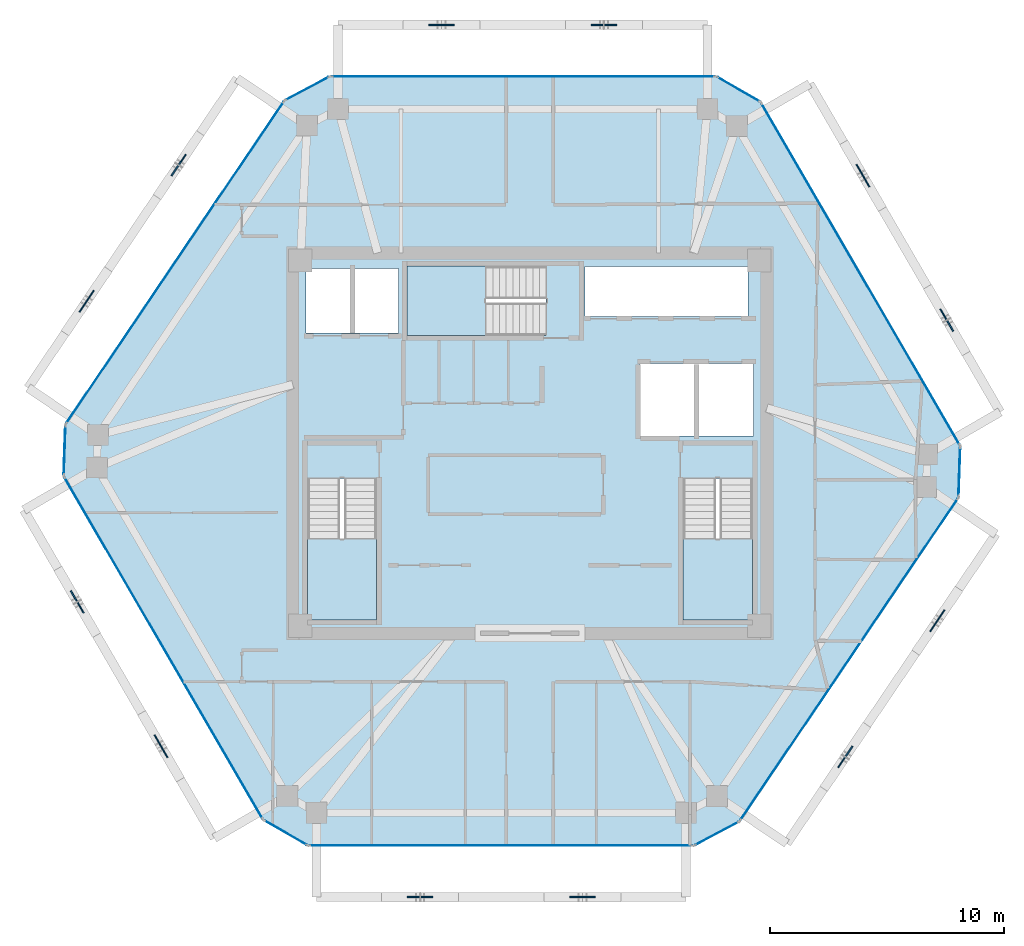
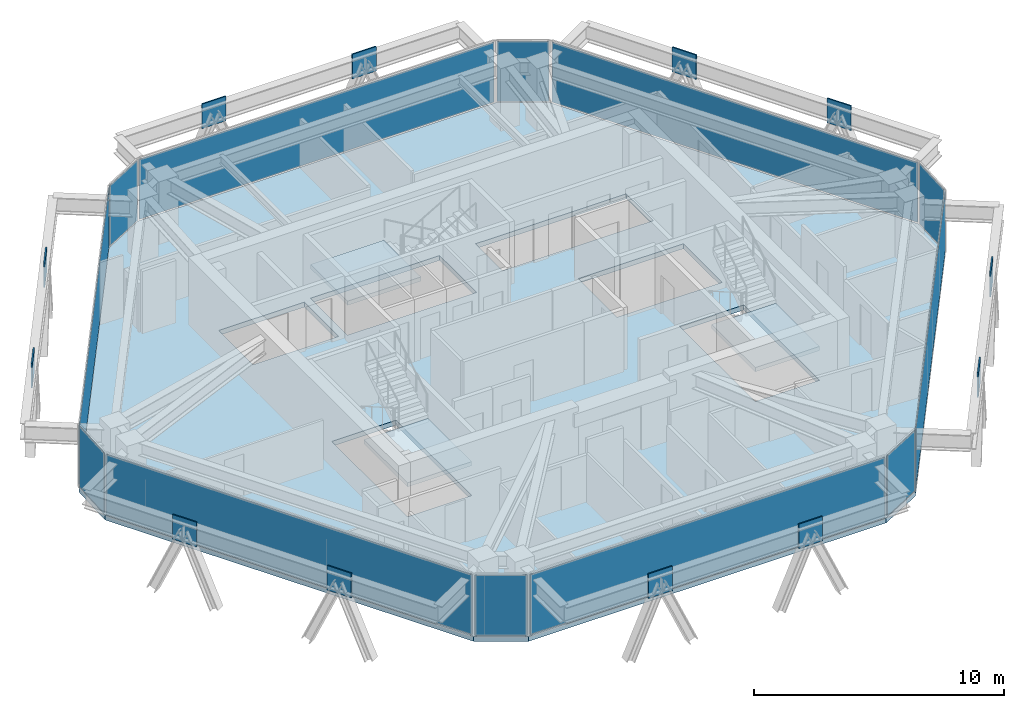
# One storey, part 7 of 13: 24 plates, 4 slabs, 15 elements without a shape of their own.
"""IFC4 building model written with IfcOpenShell, lengths in metres."""

from ifc_helpers import new_model, si_unit, direction, frame, origin, origin_2d, place, context, subcontext, project, spatial, polyline, rectangle, outline, extrude, source, transform, mapped, material, layer, layer_set, type_object, type_shapes, element, aggregate, save


model = new_model("IFC4")

# Units and contexts
model_context = context("Model", 3, precision=1e-05, world=origin(), true_north=direction((0.0, 1.0)))
body_context = subcontext(model_context, "Body", "Model", "MODEL_VIEW")
ifc_project = project(units=[si_unit("LENGTHUNIT", "METRE"), si_unit("AREAUNIT", "SQUARE_METRE"), si_unit("VOLUMEUNIT", "CUBIC_METRE"), si_unit("PLANEANGLEUNIT", "RADIAN"), si_unit("MASSUNIT", "GRAM", prefix="KILO")], contexts=[model_context])

# Site, building, storey
site_placement = place(None, origin())
site = spatial("IfcSite", under=ifc_project, at=site_placement, CompositionType="ELEMENT")
building_placement = place(site_placement, origin())
building = spatial("IfcBuilding", under=site, at=building_placement, Name="Durnholm Broadcast Tower", CompositionType="ELEMENT")
storey_placement = place(building_placement, frame((0.0, 0.0, 248.0)))
storey = spatial("IfcBuildingStorey", under=building, at=storey_placement, Name="L69", CompositionType="ELEMENT", Elevation=248.0)

# Slab
ifc_material_1 = material(Name="Concrete C50/60", Category="concrete")
ifc_layer_1 = layer(ifc_material_1, 0.239990234375)
ifc_layer_set_1 = layer_set([ifc_layer_1], Name="Concrete C50/60")
slab_type_1 = type_object("IfcSlabType", Name="SLAB-FLR-240", PredefinedType="FLOOR", material=ifc_layer_set_1)
slab_1_placement = place(storey_placement, frame((0.0, 0.0, -0.239990234375)))
element("IfcSlab", 1, at=slab_1_placement, inside=storey, type_object=slab_type_1, Name="L69 structural floor slab", PredefinedType="FLOOR", context=body_context, shape_type="SweptSolid", body=[
    extrude(outline(polyline([(-11.384521484375, -16.088134765625), (-9.47802734375, -17.18603515625), (7.012451171875, -17.18603515625), (8.955322265625, -16.154296875), (18.307861328125, -2.3203125), (18.38330078125, -0.12158203125), (9.8603515625, 14.564208984375), (7.9541015625, 15.662109375), (-8.536376953125, 15.662109375), (-10.4794921875, 14.630126953125), (-19.831787109375, 0.79638671875), (-19.9072265625, -1.40234375), (-11.384521484375, -16.088134765625)]), holes=[polyline([(-6.5400390625, -1.5), (-9.5, -1.5), (-9.5, -7.550048828125), (-6.5400390625, -7.550048828125), (-6.5400390625, -1.5)]), polyline([(9.5, -7.550048828125), (9.5, -1.5), (6.5400390625, -1.5), (6.5400390625, -7.550048828125), (9.5, -7.550048828125)]), polyline([(9.550048828125, 3.39990234375), (4.699951171875, 3.39990234375), (4.699951171875, 0.300048828125), (9.550048828125, 0.300048828125), (9.550048828125, 3.39990234375)]), polyline([(-9.550048828125, 7.449951171875), (-9.550048828125, 4.699951171875), (-5.60009765625, 4.699951171875), (-5.60009765625, 7.449951171875), (-9.550048828125, 7.449951171875)]), polyline([(-5.25, 4.60009765625), (0.699951171875, 4.60009765625), (0.699951171875, 7.56005859375), (-5.25, 7.56005859375), (-5.25, 4.60009765625)]), polyline([(9.31005859375, 7.550048828125), (2.35009765625, 7.550048828125), (2.35009765625, 5.39990234375), (9.31005859375, 5.39990234375), (9.31005859375, 7.550048828125)])]), origin(), (0.0, 0.0, 1.0), 0.239990234375),
])

# Stair, slab
stair_type = type_object("IfcStairType", Name="STAIR-DL-20R1650", PredefinedType="HALF_TURN_STAIR", material=ifc_material_1)
stair_1_placement = place(storey_placement, origin())
stair_1 = element("IfcStair", 2, at=stair_1_placement, inside=storey, type_object=stair_type, Name="L69 ST-1", PredefinedType="HALF_TURN_STAIR")
ifc_layer_2 = layer(ifc_material_1, 0.199951171875)
ifc_layer_set_2 = layer_set([ifc_layer_2], Name="Concrete C50/60")
slab_type_2 = type_object("IfcSlabType", Name="SLAB-LND-200", PredefinedType="LANDING", material=ifc_layer_set_2)
slab_2_placement = place(storey_placement, frame((0.0, 0.0, 1.449951171875)))
slab_2 = element("IfcSlab", 3, at=slab_2_placement, type_object=slab_type_2, Name="ST-1 landing 1", PredefinedType="LANDING", context=body_context, shape_type="SweptSolid", body=[
    extrude(outline(polyline([(-9.5, -4.06494140625), (-9.5, -7.550048828125), (-6.5400390625, -7.550048828125), (-6.5400390625, -4.06494140625), (-9.5, -4.06494140625)])), origin(), (0.0, 0.0, 1.0), 0.199951171875),
])
aggregate(stair_1, [slab_2])

stair_2_placement = place(storey_placement, origin())
stair_2 = element("IfcStair", 4, at=stair_2_placement, inside=storey, type_object=stair_type, Name="L69 ST-2", PredefinedType="HALF_TURN_STAIR")
slab_3_placement = place(storey_placement, frame((0.0, 0.0, 1.449951171875)))
slab_3 = element("IfcSlab", 5, at=slab_3_placement, type_object=slab_type_2, Name="ST-2 landing 1", PredefinedType="LANDING", context=body_context, shape_type="SweptSolid", body=[
    extrude(outline(polyline([(6.5400390625, -4.06494140625), (6.5400390625, -7.550048828125), (9.5, -7.550048828125), (9.5, -4.06494140625), (6.5400390625, -4.06494140625)])), origin(), (0.0, 0.0, 1.0), 0.199951171875),
])
aggregate(stair_2, [slab_3])

stair_3_placement = place(storey_placement, origin())
stair_3 = element("IfcStair", 6, at=stair_3_placement, inside=storey, type_object=stair_type, Name="L69 ST-3", PredefinedType="HALF_TURN_STAIR")
slab_4_placement = place(storey_placement, frame((0.0, 0.0, 1.449951171875)))
slab_4 = element("IfcSlab", 7, at=slab_4_placement, type_object=slab_type_2, Name="ST-3 landing 1", PredefinedType="LANDING", context=body_context, shape_type="SweptSolid", body=[
    extrude(outline(polyline([(-1.864990234375, 7.56005859375), (-5.25, 7.56005859375), (-5.25, 4.60009765625), (-1.864990234375, 4.60009765625), (-1.864990234375, 7.56005859375)])), origin(), (0.0, 0.0, 1.0), 0.199951171875),
])
aggregate(stair_3, [slab_4])

# Plates
ifc_material_2 = material(Name="Steel ASTM A572 Grade 50", Category="steel")
ifc_layer_3 = layer(ifc_material_2, 0.06005859375)
ifc_layer_set_3 = layer_set([ifc_layer_3], Name="Steel ASTM A572 Grade 50")
plate_type_1 = type_object("IfcPlateType", Name="PLT-KN10-GUS", PredefinedType="USERDEFINED", material=ifc_layer_set_3)
shared_shape_1 = source(origin(), body_context, "Body", "SweptSolid", [
    extrude(rectangle(XDim=1.10009765625, YDim=0.06005859375, at=origin_2d()), origin(), (0.0, 0.0, 1.0), 1.199951171875),
])
type_shapes(plate_type_1, [shared_shape_1])
for number, where, z_axis, x_axis, name in (
    (8, (-4.688720703125, -19.385986328125, 1.70849609375), (0.0, 0.0, 1.0), (1.0, 0.0, 0.0), "L69 welded diagrid node gusset plate KN10 F1"),
    (9, (2.248779296875, -19.385986328125, 1.70849609375), (0.0, 0.0, 1.0), (1.0, 0.0, 0.0), "L69 welded diagrid node gusset plate KN10 F1"),
    (10, (13.47412109375, -13.398193359375, 1.70849609375), (0.0, 0.0, 1.0), (0.560060762816, 0.828451532652, 0.0), "L69 welded diagrid node gusset plate KN10 F2"),
    (11, (17.404052734375, -7.585205078125, 1.70849609375), (0.0, 0.0, 1.0), (0.560060762816, 0.828451532652, 0.0), "L69 welded diagrid node gusset plate KN10 F2"),
    (12, (17.806640625, 5.2548828125, 1.70849609375), (0.0, 0.0, 1.0), (-0.501963660617, 0.864888711581, 0.0), "L69 welded diagrid node gusset plate KN10 F3"),
    (13, (14.228271484375, 11.4208984375, 1.70849609375), (0.0, 0.0, 1.0), (-0.501963660617, 0.864888711581, 0.0), "L69 welded diagrid node gusset plate KN10 F3"),
    (14, (3.164794921875, 17.862060546875, 1.70849609375), (0.0, 0.0, 1.0), (-1.0, 0.0, 0.0), "L69 welded diagrid node gusset plate KN10 F4"),
    (15, (-3.772705078125, 17.862060546875, 1.70849609375), (0.0, 0.0, 1.0), (-1.0, 0.0, 0.0), "L69 welded diagrid node gusset plate KN10 F4"),
    (16, (-14.998046875, 11.874267578125, 1.70849609375), (0.0, 0.0, 1.0), (-0.560060762816, -0.828451532652, 0.0), "L69 welded diagrid node gusset plate KN10 F5"),
    (17, (-18.927978515625, 6.061279296875, 1.70849609375), (0.0, 0.0, 1.0), (-0.560060762816, -0.828451532652, 0.0), "L69 welded diagrid node gusset plate KN10 F5"),
    (18, (-19.330810546875, -6.77880859375, 1.70849609375), (0.0, 0.0, 1.0), (0.501963660617, -0.864888711581, 0.0), "L69 welded diagrid node gusset plate KN10 F6"),
    (19, (-15.752197265625, -12.94482421875, 1.70849609375), (0.0, 0.0, 1.0), (0.501963660617, -0.864888711581, 0.0), "L69 welded diagrid node gusset plate KN10 F6"),
):
    element("IfcPlate", number, at=place(storey_placement, frame(where, z_axis=z_axis, x_axis=x_axis)), inside=storey, type_object=plate_type_1, Name=name, ObjectType="GUSSET_PLATE", PredefinedType="USERDEFINED", context=body_context, shape_type="MappedRepresentation", body=[
        mapped(shared_shape_1, transform((0.0, 0.0, 0.0), x_axis=(1.0, 0.0, 0.0), y_axis=(0.0, 1.0, 0.0), z_axis=(0.0, 0.0, 1.0), scale=1.0)),
    ])

# Curtain wall, plate
ifc_material_3 = material(Name="Aluminium and Solar Control IGU", Category="aluminium")
ifc_layer_4 = layer(ifc_material_3, 0.1650390625)
ifc_layer_set_4 = layer_set([ifc_layer_4], Name="Aluminium and Solar Control IGU")
curtain_wall_type_1 = type_object("IfcCurtainWallType", Name="CW-SYS-5", PredefinedType="NOTDEFINED", material=ifc_layer_set_4)
curtain_wall_1_placement = place(storey_placement, origin())
curtain_wall_1 = element("IfcCurtainWall", 20, at=curtain_wall_1_placement, inside=storey, type_object=curtain_wall_type_1, Name="L69 curtain wall CW-CORNER CW-L69-CRN-01", PredefinedType="NOTDEFINED")
ifc_material_4 = material(Name="Low-E Laminated Insulating Glass", Category="glass")
ifc_layer_5 = layer(ifc_material_4, 0.030029296875)
ifc_layer_set_5 = layer_set([ifc_layer_5], Name="Low-E Laminated Insulating Glass")
plate_type_2 = type_object("IfcPlateType", Name="CW-SYS-5-PNL", PredefinedType="CURTAIN_PANEL", material=ifc_layer_set_5)
shared_shape_2 = source(origin(), body_context, "Body", "SweptSolid", [
    extrude(rectangle(XDim=2.070068359375, YDim=0.030029296875, at=origin_2d()), origin(), (0.0, 0.0, 1.0), 2.929931640625),
])
plate_1_placement = place(storey_placement, frame((-19.86962890625, -0.302978515625, 0.06494140625), z_axis=(0.0, 0.0, 1.0), x_axis=(0.034318245849, 0.999410955514, 0.0)))
plate_1 = element("IfcPlate", 21, at=plate_1_placement, type_object=plate_type_2, Name="CW-CORNER panel 1.1", PredefinedType="CURTAIN_PANEL", context=body_context, shape_type="MappedRepresentation", body=[
    mapped(shared_shape_2, transform((0.0, 0.0, 0.0), x_axis=(1.0, 0.0, 0.0), y_axis=(0.0, 1.0, 0.0), z_axis=(0.0, 0.0, 1.0), scale=1.0)),
])
aggregate(curtain_wall_1, [plate_1])

curtain_wall_2_placement = place(storey_placement, origin())
curtain_wall_2 = element("IfcCurtainWall", 22, at=curtain_wall_2_placement, inside=storey, type_object=curtain_wall_type_1, Name="L69 curtain wall CW-CORNER CW-L69-CRN-03", PredefinedType="NOTDEFINED")
plate_2_placement = place(storey_placement, frame((-9.5078125, 15.14599609375, 0.06494140625), z_axis=(0.0, 0.0, 1.0), x_axis=(0.883194569853, 0.469006771575, 0.0)))
plate_2 = element("IfcPlate", 23, at=plate_2_placement, type_object=plate_type_2, Name="CW-CORNER panel 1.1", PredefinedType="CURTAIN_PANEL", context=body_context, shape_type="MappedRepresentation", body=[
    mapped(shared_shape_2, transform((0.0, 0.0, 0.0), x_axis=(1.0, 0.0, 0.0), y_axis=(0.0, 1.0, 0.0), z_axis=(0.0, 0.0, 1.0), scale=1.0)),
])
aggregate(curtain_wall_2, [plate_2])

curtain_wall_3_placement = place(storey_placement, origin())
curtain_wall_3 = element("IfcCurtainWall", 24, at=curtain_wall_3_placement, inside=storey, type_object=curtain_wall_type_1, Name="L69 curtain wall CW-CORNER CW-L69-CRN-07", PredefinedType="NOTDEFINED")
plate_3_placement = place(storey_placement, frame((18.345458984375, -1.220947265625, 0.06494140625), z_axis=(0.0, 0.0, 1.0), x_axis=(-0.034318245849, -0.999410955514, 0.0)))
plate_3 = element("IfcPlate", 25, at=plate_3_placement, type_object=plate_type_2, Name="CW-CORNER panel 1.1", PredefinedType="CURTAIN_PANEL", context=body_context, shape_type="MappedRepresentation", body=[
    mapped(shared_shape_2, transform((0.0, 0.0, 0.0), x_axis=(1.0, 0.0, 0.0), y_axis=(0.0, 1.0, 0.0), z_axis=(0.0, 0.0, 1.0), scale=1.0)),
])
aggregate(curtain_wall_3, [plate_3])

curtain_wall_4_placement = place(storey_placement, origin())
curtain_wall_4 = element("IfcCurtainWall", 26, at=curtain_wall_4_placement, inside=storey, type_object=curtain_wall_type_1, Name="L69 curtain wall CW-CORNER CW-L69-CRN-09", PredefinedType="NOTDEFINED")
plate_4_placement = place(storey_placement, frame((7.98388671875, -16.670166015625, 0.06494140625), z_axis=(0.0, 0.0, 1.0), x_axis=(-0.883194569853, -0.469006771575, 0.0)))
plate_4 = element("IfcPlate", 27, at=plate_4_placement, type_object=plate_type_2, Name="CW-CORNER panel 1.1", PredefinedType="CURTAIN_PANEL", context=body_context, shape_type="MappedRepresentation", body=[
    mapped(shared_shape_2, transform((0.0, 0.0, 0.0), x_axis=(1.0, 0.0, 0.0), y_axis=(0.0, 1.0, 0.0), z_axis=(0.0, 0.0, 1.0), scale=1.0)),
])
aggregate(curtain_wall_4, [plate_4])

ifc_layer_6 = layer(ifc_material_3, 0.18994140625)
ifc_layer_set_6 = layer_set([ifc_layer_6], Name="Aluminium and Solar Control IGU")
curtain_wall_type_2 = type_object("IfcCurtainWallType", Name="CW-SYS-4", PredefinedType="NOTDEFINED", material=ifc_layer_set_6)
curtain_wall_5_placement = place(storey_placement, origin())
curtain_wall_5 = element("IfcCurtainWall", 28, at=curtain_wall_5_placement, inside=storey, type_object=curtain_wall_type_2, Name="L69 curtain wall CW-Z34-VIS CW-L69-F02", PredefinedType="NOTDEFINED")
ifc_layer_7 = layer(ifc_material_4, 0.033935546875)
ifc_layer_set_7 = layer_set([ifc_layer_7], Name="Low-E Laminated Insulating Glass")
plate_type_3 = type_object("IfcPlateType", Name="CW-SYS-4-PNL", PredefinedType="CURTAIN_PANEL", material=ifc_layer_set_7)
shared_shape_3 = source(origin(), body_context, "Body", "SweptSolid", [
    extrude(rectangle(XDim=16.55859375, YDim=0.033935546875, at=origin_2d()), origin(), (0.0, 0.0, 1.0), 2.919921875),
])
plate_5_placement = place(storey_placement, frame((-15.155517578125, 7.71337890625, 0.070068359375), z_axis=(0.0, 0.0, 1.0), x_axis=(0.560072745753, 0.828443431662, 0.0)))
plate_5 = element("IfcPlate", 29, at=plate_5_placement, type_object=plate_type_3, Name="CW-Z34-VIS panel 1.1", PredefinedType="CURTAIN_PANEL", context=body_context, shape_type="MappedRepresentation", body=[
    mapped(shared_shape_3, transform((0.0, 0.0, 0.0), x_axis=(1.0, 0.0, 0.0), y_axis=(0.0, 1.0, 0.0), z_axis=(0.0, 0.0, 1.0), scale=1.0)),
])
aggregate(curtain_wall_5, [plate_5])

curtain_wall_6_placement = place(storey_placement, origin())
curtain_wall_6 = element("IfcCurtainWall", 30, at=curtain_wall_6_placement, inside=storey, type_object=curtain_wall_type_2, Name="L69 curtain wall CW-Z34-VIS CW-L69-F08", PredefinedType="NOTDEFINED")
plate_6_placement = place(storey_placement, frame((13.631591796875, -9.2373046875, 0.070068359375), z_axis=(0.0, 0.0, 1.0), x_axis=(-0.560072745753, -0.828443431662, 0.0)))
plate_6 = element("IfcPlate", 31, at=plate_6_placement, type_object=plate_type_3, Name="CW-Z34-VIS panel 1.1", PredefinedType="CURTAIN_PANEL", context=body_context, shape_type="MappedRepresentation", body=[
    mapped(shared_shape_3, transform((0.0, 0.0, 0.0), x_axis=(1.0, 0.0, 0.0), y_axis=(0.0, 1.0, 0.0), z_axis=(0.0, 0.0, 1.0), scale=1.0)),
])
aggregate(curtain_wall_6, [plate_6])

curtain_wall_7_placement = place(storey_placement, origin())
curtain_wall_7 = element("IfcCurtainWall", 32, at=curtain_wall_7_placement, inside=storey, type_object=curtain_wall_type_2, Name="L69 curtain wall CW-Z34-VIS CW-L69-F04", PredefinedType="NOTDEFINED")
shared_shape_4 = source(origin(), body_context, "Body", "SweptSolid", [
    extrude(rectangle(XDim=16.350341796875, YDim=0.033935546875, at=origin_2d()), origin(), (0.0, 0.0, 1.0), 2.919921875),
])
plate_7_placement = place(storey_placement, frame((-0.291259765625, 15.662109375, 0.070068359375), z_axis=(0.0, 0.0, 1.0), x_axis=(1.0, 0.0, 0.0)))
plate_7 = element("IfcPlate", 33, at=plate_7_placement, type_object=plate_type_3, Name="CW-Z34-VIS panel 1.1", PredefinedType="CURTAIN_PANEL", context=body_context, shape_type="MappedRepresentation", body=[
    mapped(shared_shape_4, transform((0.0, 0.0, 0.0), x_axis=(1.0, 0.0, 0.0), y_axis=(0.0, 1.0, 0.0), z_axis=(0.0, 0.0, 1.0), scale=1.0)),
])
aggregate(curtain_wall_7, [plate_7])

curtain_wall_8_placement = place(storey_placement, origin())
curtain_wall_8 = element("IfcCurtainWall", 34, at=curtain_wall_8_placement, inside=storey, type_object=curtain_wall_type_2, Name="L69 curtain wall CW-Z34-VIS CW-L69-F10", PredefinedType="NOTDEFINED")
plate_8_placement = place(storey_placement, frame((-1.23291015625, -17.18603515625, 0.070068359375), z_axis=(0.0, 0.0, 1.0), x_axis=(-1.0, 0.0, 0.0)))
plate_8 = element("IfcPlate", 35, at=plate_8_placement, type_object=plate_type_3, Name="CW-Z34-VIS panel 1.1", PredefinedType="CURTAIN_PANEL", context=body_context, shape_type="MappedRepresentation", body=[
    mapped(shared_shape_4, transform((0.0, 0.0, 0.0), x_axis=(1.0, 0.0, 0.0), y_axis=(0.0, 1.0, 0.0), z_axis=(0.0, 0.0, 1.0), scale=1.0)),
])
aggregate(curtain_wall_8, [plate_8])

curtain_wall_9_placement = place(storey_placement, origin())
curtain_wall_9 = element("IfcCurtainWall", 36, at=curtain_wall_9_placement, inside=storey, type_object=curtain_wall_type_1, Name="L69 curtain wall CW-CORNER CW-L69-CRN-05", PredefinedType="NOTDEFINED")
shared_shape_5 = source(origin(), body_context, "Body", "SweptSolid", [
    extrude(rectangle(XDim=2.06982421875, YDim=0.030029296875, at=origin_2d()), origin(), (0.0, 0.0, 1.0), 2.929931640625),
])
type_shapes(plate_type_2, [shared_shape_2, shared_shape_5])
plate_9_placement = place(storey_placement, frame((8.9072265625, 15.113037109375, 0.06494140625), z_axis=(0.0, 0.0, 1.0), x_axis=(0.866568249707, -0.499058582333, 0.0)))
plate_9 = element("IfcPlate", 37, at=plate_9_placement, type_object=plate_type_2, Name="CW-CORNER panel 1.1", PredefinedType="CURTAIN_PANEL", context=body_context, shape_type="MappedRepresentation", body=[
    mapped(shared_shape_5, transform((0.0, 0.0, 0.0), x_axis=(1.0, 0.0, 0.0), y_axis=(0.0, 1.0, 0.0), z_axis=(0.0, 0.0, 1.0), scale=1.0)),
])
aggregate(curtain_wall_9, [plate_9])

curtain_wall_10_placement = place(storey_placement, origin())
curtain_wall_10 = element("IfcCurtainWall", 38, at=curtain_wall_10_placement, inside=storey, type_object=curtain_wall_type_1, Name="L69 curtain wall CW-CORNER CW-L69-CRN-11", PredefinedType="NOTDEFINED")
plate_10_placement = place(storey_placement, frame((-10.43115234375, -16.636962890625, 0.06494140625), z_axis=(0.0, 0.0, 1.0), x_axis=(-0.866568249707, 0.499058582333, 0.0)))
plate_10 = element("IfcPlate", 39, at=plate_10_placement, type_object=plate_type_2, Name="CW-CORNER panel 1.1", PredefinedType="CURTAIN_PANEL", context=body_context, shape_type="MappedRepresentation", body=[
    mapped(shared_shape_5, transform((0.0, 0.0, 0.0), x_axis=(1.0, 0.0, 0.0), y_axis=(0.0, 1.0, 0.0), z_axis=(0.0, 0.0, 1.0), scale=1.0)),
])
aggregate(curtain_wall_10, [plate_10])

curtain_wall_11_placement = place(storey_placement, origin())
curtain_wall_11 = element("IfcCurtainWall", 40, at=curtain_wall_11_placement, inside=storey, type_object=curtain_wall_type_2, Name="L69 curtain wall CW-Z34-VIS CW-L69-F06", PredefinedType="NOTDEFINED")
shared_shape_6 = source(origin(), body_context, "Body", "SweptSolid", [
    extrude(rectangle(XDim=16.83984375, YDim=0.033935546875, at=origin_2d()), origin(), (0.0, 0.0, 1.0), 2.919921875),
])
type_shapes(plate_type_3, [shared_shape_3, shared_shape_4, shared_shape_6])
plate_11_placement = place(storey_placement, frame((14.121826171875, 7.22119140625, 0.070068359375), z_axis=(0.0, 0.0, 1.0), x_axis=(0.50194441023, -0.864899883824, 0.0)))
plate_11 = element("IfcPlate", 41, at=plate_11_placement, type_object=plate_type_3, Name="CW-Z34-VIS panel 1.1", PredefinedType="CURTAIN_PANEL", context=body_context, shape_type="MappedRepresentation", body=[
    mapped(shared_shape_6, transform((0.0, 0.0, 0.0), x_axis=(1.0, 0.0, 0.0), y_axis=(0.0, 1.0, 0.0), z_axis=(0.0, 0.0, 1.0), scale=1.0)),
])
aggregate(curtain_wall_11, [plate_11])

curtain_wall_12_placement = place(storey_placement, origin())
curtain_wall_12 = element("IfcCurtainWall", 42, at=curtain_wall_12_placement, inside=storey, type_object=curtain_wall_type_2, Name="L69 curtain wall CW-Z34-VIS CW-L69-F12", PredefinedType="NOTDEFINED")
plate_12_placement = place(storey_placement, frame((-15.645751953125, -8.7451171875, 0.070068359375), z_axis=(0.0, 0.0, 1.0), x_axis=(-0.50194441023, 0.864899883824, 0.0)))
plate_12 = element("IfcPlate", 43, at=plate_12_placement, type_object=plate_type_3, Name="CW-Z34-VIS panel 1.1", PredefinedType="CURTAIN_PANEL", context=body_context, shape_type="MappedRepresentation", body=[
    mapped(shared_shape_6, transform((0.0, 0.0, 0.0), x_axis=(1.0, 0.0, 0.0), y_axis=(0.0, 1.0, 0.0), z_axis=(0.0, 0.0, 1.0), scale=1.0)),
])
aggregate(curtain_wall_12, [plate_12])

save(model, "model.ifc")
